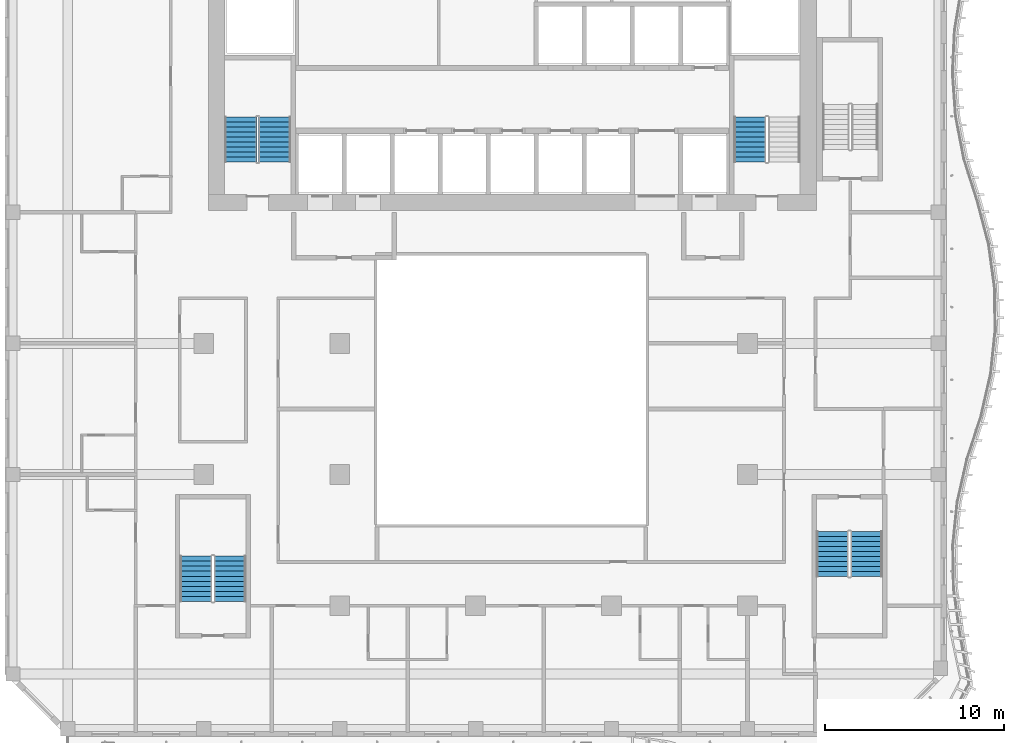
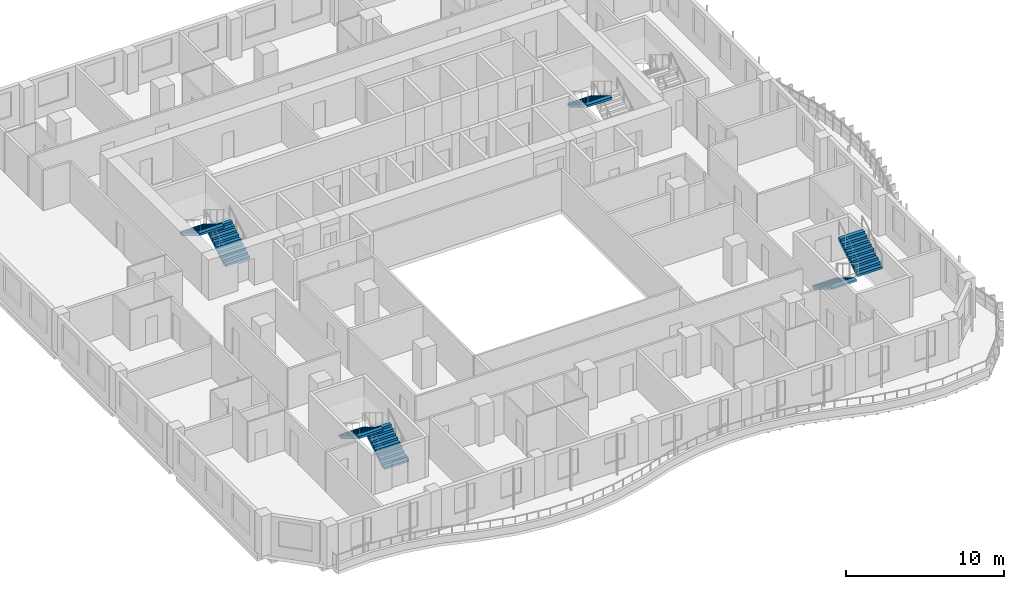
# One storey, part 11 of 20: 7 stair flights, 4 elements without a shape of their own.
"""IFC4 building model written with IfcOpenShell, lengths in metres."""

from ifc_helpers import new_model, si_unit, direction, frame, origin, place, context, subcontext, project, spatial, triangles, source, transform, mapped, material, type_object, element, aggregate, save


model = new_model("IFC4")

# Units and contexts
model_context = context("Model", 3, precision=1e-05, world=origin(), true_north=direction((0.0, 1.0)))
body_context = subcontext(model_context, "Body", "Model", "MODEL_VIEW")
ifc_project = project(units=[si_unit("LENGTHUNIT", "METRE"), si_unit("AREAUNIT", "SQUARE_METRE"), si_unit("VOLUMEUNIT", "CUBIC_METRE"), si_unit("PLANEANGLEUNIT", "RADIAN"), si_unit("MASSUNIT", "GRAM", prefix="KILO")], contexts=[model_context])

# Site, building, storey
site_placement = place(None, origin())
site = spatial("IfcSite", under=ifc_project, at=site_placement, CompositionType="ELEMENT")
building_placement = place(site_placement, origin())
building = spatial("IfcBuilding", under=site, at=building_placement, Name="Kilnfold Tower and Market Hall", CompositionType="ELEMENT")
storey_placement = place(building_placement, frame((0.0, 0.0, 157.5)))
storey = spatial("IfcBuildingStorey", under=building, at=storey_placement, Name="L36", CompositionType="ELEMENT", Elevation=157.5)

# Stair, stair flights
ifc_material_1 = material(Name="Concrete C40/50", Category="concrete")
stair_type = type_object("IfcStairType", Name="CORE STAIR 1800", PredefinedType="HALF_TURN_STAIR", material=ifc_material_1)
stair_1_placement = place(storey_placement, origin())
stair_1 = element("IfcStair", 1, at=stair_1_placement, inside=storey, type_object=stair_type, Name="L36 ST1", PredefinedType="HALF_TURN_STAIR")
ifc_material_2 = material(Name="Concrete C40/50", Category="concrete")
stair_flight_type = type_object("IfcStairFlightType", Name="CORE STAIR FLIGHT 1800", PredefinedType="STRAIGHT", material=ifc_material_2)
shared_shape = source(origin(), body_context, "Body", "Tessellation", [
    triangles([(0.0, 0.89990234375, 0.0), (0.0, 0.78759765625, 0.0), (0.0, 0.675048828125, 0.0), (0.0, 0.5625, 0.0), (0.0, 0.449951171875, 0.0), (0.0, 0.33740234375, 0.0), (0.0, 0.22509765625, 0.0), (0.0, 0.112548828125, 0.0), (0.0, 0.0, 0.0), (0.0, -0.112548828125, 0.0), (0.0, -0.22509765625, 0.0), (0.0, -0.33740234375, 0.0), (0.0, -0.449951171875, 0.0), (0.0, -0.5625, 0.0), (0.0, -0.675048828125, 0.0), (0.0, -0.78759765625, 0.0), (0.0, -0.89990234375, 0.0), (0.0, 0.89990234375, 0.169921875), (0.0, 0.78759765625, 0.169921875), (0.0, 0.675048828125, 0.169921875), (0.0, 0.5625, 0.169921875), (0.0, 0.449951171875, 0.169921875), (0.0, 0.33740234375, 0.169921875), (0.0, 0.22509765625, 0.169921875), (0.0, 0.112548828125, 0.169921875), (0.0, 0.0, 0.169921875), (0.0, -0.112548828125, 0.169921875), (0.0, -0.22509765625, 0.169921875), (0.0, -0.33740234375, 0.169921875), (0.0, -0.449951171875, 0.169921875), (0.0, -0.5625, 0.169921875), (0.0, -0.675048828125, 0.169921875), (0.0, -0.78759765625, 0.169921875), (0.0, -0.89990234375, 0.169921875), (0.280029296875, 0.89990234375, 0.169921875), (0.280029296875, 0.78759765625, 0.169921875), (0.280029296875, 0.675048828125, 0.169921875), (0.280029296875, 0.5625, 0.169921875), (0.280029296875, 0.449951171875, 0.169921875), (0.280029296875, 0.33740234375, 0.169921875), (0.280029296875, 0.22509765625, 0.169921875), (0.280029296875, 0.112548828125, 0.169921875), (0.280029296875, 0.0, 0.169921875), (0.280029296875, -0.112548828125, 0.169921875), (0.280029296875, -0.22509765625, 0.169921875), (0.280029296875, -0.33740234375, 0.169921875), (0.280029296875, -0.449951171875, 0.169921875), (0.280029296875, -0.5625, 0.169921875), (0.280029296875, -0.675048828125, 0.169921875), (0.280029296875, -0.78759765625, 0.169921875), (0.280029296875, -0.89990234375, 0.169921875), (0.280029296875, 0.89990234375, 0.340087890625), (0.280029296875, 0.78759765625, 0.340087890625), (0.280029296875, 0.675048828125, 0.340087890625), (0.280029296875, 0.5625, 0.340087890625), (0.280029296875, 0.449951171875, 0.340087890625), (0.280029296875, 0.33740234375, 0.340087890625), (0.280029296875, 0.22509765625, 0.340087890625), (0.280029296875, 0.112548828125, 0.340087890625), (0.280029296875, 0.0, 0.340087890625), (0.280029296875, -0.112548828125, 0.340087890625), (0.280029296875, -0.22509765625, 0.340087890625), (0.280029296875, -0.33740234375, 0.340087890625), (0.280029296875, -0.449951171875, 0.340087890625), (0.280029296875, -0.5625, 0.340087890625), (0.280029296875, -0.675048828125, 0.340087890625), (0.280029296875, -0.78759765625, 0.340087890625), (0.280029296875, -0.89990234375, 0.340087890625), (0.56005859375, 0.89990234375, 0.340087890625), (0.56005859375, 0.78759765625, 0.340087890625), (0.56005859375, 0.675048828125, 0.340087890625), (0.56005859375, 0.5625, 0.340087890625), (0.56005859375, 0.449951171875, 0.340087890625), (0.56005859375, 0.33740234375, 0.340087890625), (0.56005859375, 0.22509765625, 0.340087890625), (0.56005859375, 0.112548828125, 0.340087890625), (0.56005859375, 0.0, 0.340087890625), (0.56005859375, -0.112548828125, 0.340087890625), (0.56005859375, -0.22509765625, 0.340087890625), (0.56005859375, -0.33740234375, 0.340087890625), (0.56005859375, -0.449951171875, 0.340087890625), (0.56005859375, -0.5625, 0.340087890625), (0.56005859375, -0.675048828125, 0.340087890625), (0.56005859375, -0.78759765625, 0.340087890625), (0.56005859375, -0.89990234375, 0.340087890625), (0.56005859375, 0.89990234375, 0.510009765625), (0.56005859375, 0.78759765625, 0.510009765625), (0.56005859375, 0.675048828125, 0.510009765625), (0.56005859375, 0.5625, 0.510009765625), (0.56005859375, 0.449951171875, 0.510009765625), (0.56005859375, 0.33740234375, 0.510009765625), (0.56005859375, 0.22509765625, 0.510009765625), (0.56005859375, 0.112548828125, 0.510009765625), (0.56005859375, 0.0, 0.510009765625), (0.56005859375, -0.112548828125, 0.510009765625), (0.56005859375, -0.22509765625, 0.510009765625), (0.56005859375, -0.33740234375, 0.510009765625), (0.56005859375, -0.449951171875, 0.510009765625), (0.56005859375, -0.5625, 0.510009765625), (0.56005859375, -0.675048828125, 0.510009765625), (0.56005859375, -0.78759765625, 0.510009765625), (0.56005859375, -0.89990234375, 0.510009765625), (0.840087890625, 0.89990234375, 0.510009765625), (0.840087890625, 0.78759765625, 0.510009765625), (0.840087890625, 0.675048828125, 0.510009765625), (0.840087890625, 0.5625, 0.510009765625), (0.840087890625, 0.449951171875, 0.510009765625), (0.840087890625, 0.33740234375, 0.510009765625), (0.840087890625, 0.22509765625, 0.510009765625), (0.840087890625, 0.112548828125, 0.510009765625), (0.840087890625, 0.0, 0.510009765625), (0.840087890625, -0.112548828125, 0.510009765625), (0.840087890625, -0.22509765625, 0.510009765625), (0.840087890625, -0.33740234375, 0.510009765625), (0.840087890625, -0.449951171875, 0.510009765625), (0.840087890625, -0.5625, 0.510009765625), (0.840087890625, -0.675048828125, 0.510009765625), (0.840087890625, -0.78759765625, 0.510009765625), (0.840087890625, -0.89990234375, 0.510009765625), (0.840087890625, 0.89990234375, 0.679931640625), (0.840087890625, 0.78759765625, 0.679931640625), (0.840087890625, 0.675048828125, 0.679931640625), (0.840087890625, 0.5625, 0.679931640625), (0.840087890625, 0.449951171875, 0.679931640625), (0.840087890625, 0.33740234375, 0.679931640625), (0.840087890625, 0.22509765625, 0.679931640625), (0.840087890625, 0.112548828125, 0.679931640625), (0.840087890625, 0.0, 0.679931640625), (0.840087890625, -0.112548828125, 0.679931640625), (0.840087890625, -0.22509765625, 0.679931640625), (0.840087890625, -0.33740234375, 0.679931640625), (0.840087890625, -0.449951171875, 0.679931640625), (0.840087890625, -0.5625, 0.679931640625), (0.840087890625, -0.675048828125, 0.679931640625), (0.840087890625, -0.78759765625, 0.679931640625), (0.840087890625, -0.89990234375, 0.679931640625), (1.1201171875, 0.89990234375, 0.679931640625), (1.1201171875, 0.78759765625, 0.679931640625), (1.1201171875, 0.675048828125, 0.679931640625), (1.1201171875, 0.5625, 0.679931640625), (1.1201171875, 0.449951171875, 0.679931640625), (1.1201171875, 0.33740234375, 0.679931640625), (1.1201171875, 0.22509765625, 0.679931640625), (1.1201171875, 0.112548828125, 0.679931640625), (1.1201171875, 0.0, 0.679931640625), (1.1201171875, -0.112548828125, 0.679931640625), (1.1201171875, -0.22509765625, 0.679931640625), (1.1201171875, -0.33740234375, 0.679931640625), (1.1201171875, -0.449951171875, 0.679931640625), (1.1201171875, -0.5625, 0.679931640625), (1.1201171875, -0.675048828125, 0.679931640625), (1.1201171875, -0.78759765625, 0.679931640625), (1.1201171875, -0.89990234375, 0.679931640625), (1.1201171875, 0.89990234375, 0.85009765625), (1.1201171875, 0.78759765625, 0.85009765625), (1.1201171875, 0.675048828125, 0.85009765625), (1.1201171875, 0.5625, 0.85009765625), (1.1201171875, 0.449951171875, 0.85009765625), (1.1201171875, 0.33740234375, 0.85009765625), (1.1201171875, 0.22509765625, 0.85009765625), (1.1201171875, 0.112548828125, 0.85009765625), (1.1201171875, 0.0, 0.85009765625), (1.1201171875, -0.112548828125, 0.85009765625), (1.1201171875, -0.22509765625, 0.85009765625), (1.1201171875, -0.33740234375, 0.85009765625), (1.1201171875, -0.449951171875, 0.85009765625), (1.1201171875, -0.5625, 0.85009765625), (1.1201171875, -0.675048828125, 0.85009765625), (1.1201171875, -0.78759765625, 0.85009765625), (1.1201171875, -0.89990234375, 0.85009765625), (1.39990234375, 0.89990234375, 0.85009765625), (1.39990234375, 0.78759765625, 0.85009765625), (1.39990234375, 0.675048828125, 0.85009765625), (1.39990234375, 0.5625, 0.85009765625), (1.39990234375, 0.449951171875, 0.85009765625), (1.39990234375, 0.33740234375, 0.85009765625), (1.39990234375, 0.22509765625, 0.85009765625), (1.39990234375, 0.112548828125, 0.85009765625), (1.39990234375, 0.0, 0.85009765625), (1.39990234375, -0.112548828125, 0.85009765625), (1.39990234375, -0.22509765625, 0.85009765625), (1.39990234375, -0.33740234375, 0.85009765625), (1.39990234375, -0.449951171875, 0.85009765625), (1.39990234375, -0.5625, 0.85009765625), (1.39990234375, -0.675048828125, 0.85009765625), (1.39990234375, -0.78759765625, 0.85009765625), (1.39990234375, -0.89990234375, 0.85009765625), (1.39990234375, 0.89990234375, 1.02001953125), (1.39990234375, 0.78759765625, 1.02001953125), (1.39990234375, 0.675048828125, 1.02001953125), (1.39990234375, 0.5625, 1.02001953125), (1.39990234375, 0.449951171875, 1.02001953125), (1.39990234375, 0.33740234375, 1.02001953125), (1.39990234375, 0.22509765625, 1.02001953125), (1.39990234375, 0.112548828125, 1.02001953125), (1.39990234375, 0.0, 1.02001953125), (1.39990234375, -0.112548828125, 1.02001953125), (1.39990234375, -0.22509765625, 1.02001953125), (1.39990234375, -0.33740234375, 1.02001953125), (1.39990234375, -0.449951171875, 1.02001953125), (1.39990234375, -0.5625, 1.02001953125), (1.39990234375, -0.675048828125, 1.02001953125), (1.39990234375, -0.78759765625, 1.02001953125), (1.39990234375, -0.89990234375, 1.02001953125), (1.679931640625, 0.89990234375, 1.02001953125), (1.679931640625, 0.78759765625, 1.02001953125), (1.679931640625, 0.675048828125, 1.02001953125), (1.679931640625, 0.5625, 1.02001953125), (1.679931640625, 0.449951171875, 1.02001953125), (1.679931640625, 0.33740234375, 1.02001953125), (1.679931640625, 0.22509765625, 1.02001953125), (1.679931640625, 0.112548828125, 1.02001953125), (1.679931640625, 0.0, 1.02001953125), (1.679931640625, -0.112548828125, 1.02001953125), (1.679931640625, -0.22509765625, 1.02001953125), (1.679931640625, -0.33740234375, 1.02001953125), (1.679931640625, -0.449951171875, 1.02001953125), (1.679931640625, -0.5625, 1.02001953125), (1.679931640625, -0.675048828125, 1.02001953125), (1.679931640625, -0.78759765625, 1.02001953125), (1.679931640625, -0.89990234375, 1.02001953125), (1.679931640625, 0.89990234375, 1.18994140625), (1.679931640625, 0.78759765625, 1.18994140625), (1.679931640625, 0.675048828125, 1.18994140625), (1.679931640625, 0.5625, 1.18994140625), (1.679931640625, 0.449951171875, 1.18994140625), (1.679931640625, 0.33740234375, 1.18994140625), (1.679931640625, 0.22509765625, 1.18994140625), (1.679931640625, 0.112548828125, 1.18994140625), (1.679931640625, 0.0, 1.18994140625), (1.679931640625, -0.112548828125, 1.18994140625), (1.679931640625, -0.22509765625, 1.18994140625), (1.679931640625, -0.33740234375, 1.18994140625), (1.679931640625, -0.449951171875, 1.18994140625), (1.679931640625, -0.5625, 1.18994140625), (1.679931640625, -0.675048828125, 1.18994140625), (1.679931640625, -0.78759765625, 1.18994140625), (1.679931640625, -0.89990234375, 1.18994140625), (1.9599609375, 0.89990234375, 1.18994140625), (1.9599609375, 0.78759765625, 1.18994140625), (1.9599609375, 0.675048828125, 1.18994140625), (1.9599609375, 0.5625, 1.18994140625), (1.9599609375, 0.449951171875, 1.18994140625), (1.9599609375, 0.33740234375, 1.18994140625), (1.9599609375, 0.22509765625, 1.18994140625), (1.9599609375, 0.112548828125, 1.18994140625), (1.9599609375, 0.0, 1.18994140625), (1.9599609375, -0.112548828125, 1.18994140625), (1.9599609375, -0.22509765625, 1.18994140625), (1.9599609375, -0.33740234375, 1.18994140625), (1.9599609375, -0.449951171875, 1.18994140625), (1.9599609375, -0.5625, 1.18994140625), (1.9599609375, -0.675048828125, 1.18994140625), (1.9599609375, -0.78759765625, 1.18994140625), (1.9599609375, -0.89990234375, 1.18994140625), (1.9599609375, 0.89990234375, 1.360107421875), (1.9599609375, 0.78759765625, 1.360107421875), (1.9599609375, 0.675048828125, 1.360107421875), (1.9599609375, 0.5625, 1.360107421875), (1.9599609375, 0.449951171875, 1.360107421875), (1.9599609375, 0.33740234375, 1.360107421875), (1.9599609375, 0.22509765625, 1.360107421875), (1.9599609375, 0.112548828125, 1.360107421875), (1.9599609375, 0.0, 1.360107421875), (1.9599609375, -0.112548828125, 1.360107421875), (1.9599609375, -0.22509765625, 1.360107421875), (1.9599609375, -0.33740234375, 1.360107421875), (1.9599609375, -0.449951171875, 1.360107421875), (1.9599609375, -0.5625, 1.360107421875), (1.9599609375, -0.675048828125, 1.360107421875), (1.9599609375, -0.78759765625, 1.360107421875), (1.9599609375, -0.89990234375, 1.360107421875), (2.239990234375, 0.89990234375, 1.360107421875), (2.239990234375, 0.78759765625, 1.360107421875), (2.239990234375, 0.675048828125, 1.360107421875), (2.239990234375, 0.5625, 1.360107421875), (2.239990234375, 0.449951171875, 1.360107421875), (2.239990234375, 0.33740234375, 1.360107421875), (2.239990234375, 0.22509765625, 1.360107421875), (2.239990234375, 0.112548828125, 1.360107421875), (2.239990234375, 0.0, 1.360107421875), (2.239990234375, -0.112548828125, 1.360107421875), (2.239990234375, -0.22509765625, 1.360107421875), (2.239990234375, -0.33740234375, 1.360107421875), (2.239990234375, -0.449951171875, 1.360107421875), (2.239990234375, -0.5625, 1.360107421875), (2.239990234375, -0.675048828125, 1.360107421875), (2.239990234375, -0.78759765625, 1.360107421875), (2.239990234375, -0.89990234375, 1.360107421875), (2.239990234375, 0.89990234375, 1.530029296875), (2.239990234375, 0.78759765625, 1.530029296875), (2.239990234375, 0.675048828125, 1.530029296875), (2.239990234375, 0.5625, 1.530029296875), (2.239990234375, 0.449951171875, 1.530029296875), (2.239990234375, 0.33740234375, 1.530029296875), (2.239990234375, 0.22509765625, 1.530029296875), (2.239990234375, 0.112548828125, 1.530029296875), (2.239990234375, 0.0, 1.530029296875), (2.239990234375, -0.112548828125, 1.530029296875), (2.239990234375, -0.22509765625, 1.530029296875), (2.239990234375, -0.33740234375, 1.530029296875), (2.239990234375, -0.449951171875, 1.530029296875), (2.239990234375, -0.5625, 1.530029296875), (2.239990234375, -0.675048828125, 1.530029296875), (2.239990234375, -0.78759765625, 1.530029296875), (2.239990234375, -0.89990234375, 1.530029296875), (2.52001953125, 0.89990234375, 1.530029296875), (2.52001953125, 0.78759765625, 1.530029296875), (2.52001953125, 0.675048828125, 1.530029296875), (2.52001953125, 0.5625, 1.530029296875), (2.52001953125, 0.449951171875, 1.530029296875), (2.52001953125, 0.33740234375, 1.530029296875), (2.52001953125, 0.22509765625, 1.530029296875), (2.52001953125, 0.112548828125, 1.530029296875), (2.52001953125, 0.0, 1.530029296875), (2.52001953125, -0.112548828125, 1.530029296875), (2.52001953125, -0.22509765625, 1.530029296875), (2.52001953125, -0.33740234375, 1.530029296875), (2.52001953125, -0.449951171875, 1.530029296875), (2.52001953125, -0.5625, 1.530029296875), (2.52001953125, -0.675048828125, 1.530029296875), (2.52001953125, -0.78759765625, 1.530029296875), (2.52001953125, -0.89990234375, 1.530029296875), (2.52001953125, 0.89990234375, 1.354736328125), (2.52001953125, 0.78759765625, 1.354736328125), (2.52001953125, 0.675048828125, 1.354736328125), (2.52001953125, 0.5625, 1.354736328125), (2.52001953125, 0.449951171875, 1.354736328125), (2.52001953125, 0.33740234375, 1.354736328125), (2.52001953125, 0.22509765625, 1.354736328125), (2.52001953125, 0.112548828125, 1.354736328125), (2.52001953125, 0.0, 1.354736328125), (2.52001953125, -0.112548828125, 1.354736328125), (2.52001953125, -0.22509765625, 1.354736328125), (2.52001953125, -0.33740234375, 1.354736328125), (2.52001953125, -0.449951171875, 1.354736328125), (2.52001953125, -0.5625, 1.354736328125), (2.52001953125, -0.675048828125, 1.354736328125), (2.52001953125, -0.78759765625, 1.354736328125), (2.52001953125, -0.89990234375, 1.354736328125), (0.288818359375, 0.89990234375, 0.0), (0.288818359375, 0.78759765625, 0.0), (0.288818359375, 0.675048828125, 0.0), (0.288818359375, 0.5625, 0.0), (0.288818359375, 0.449951171875, 0.0), (0.288818359375, 0.33740234375, 0.0), (0.288818359375, 0.22509765625, 0.0), (0.288818359375, 0.112548828125, 0.0), (0.288818359375, 0.0, 0.0), (0.288818359375, -0.112548828125, 0.0), (0.288818359375, -0.22509765625, 0.0), (0.288818359375, -0.33740234375, 0.0), (0.288818359375, -0.449951171875, 0.0), (0.288818359375, -0.5625, 0.0), (0.288818359375, -0.675048828125, 0.0), (0.288818359375, -0.78759765625, 0.0), (0.288818359375, -0.89990234375, 0.0)], [[1, 324, 341], [17, 357, 340], [324, 290, 307], [340, 323, 306], [324, 273, 290], [340, 306, 289], [324, 256, 273], [340, 289, 272], [324, 239, 256], [340, 272, 255], [239, 205, 222], [255, 238, 221], [324, 205, 239], [340, 255, 221], [205, 171, 188], [221, 204, 187], [324, 171, 205], [340, 221, 187], [171, 137, 154], [187, 170, 153], [324, 137, 171], [340, 187, 153], [137, 103, 120], [153, 136, 119], [324, 103, 137], [340, 153, 119], [103, 69, 86], [119, 102, 85], [324, 69, 103], [340, 119, 85], [69, 35, 52], [85, 68, 51], [324, 35, 69], [340, 85, 51], [1, 35, 324], [17, 340, 51], [35, 1, 18], [51, 34, 17], [1, 19, 18], [1, 2, 19], [2, 20, 19], [2, 3, 20], [3, 21, 20], [3, 4, 21], [4, 22, 21], [4, 5, 22], [5, 23, 22], [5, 6, 23], [6, 24, 23], [6, 7, 24], [7, 25, 24], [7, 8, 25], [8, 26, 25], [8, 9, 26], [9, 27, 26], [9, 10, 27], [10, 28, 27], [10, 11, 28], [11, 29, 28], [11, 12, 29], [12, 30, 29], [12, 13, 30], [13, 31, 30], [13, 14, 31], [14, 32, 31], [14, 15, 32], [15, 33, 32], [15, 16, 33], [16, 34, 33], [16, 17, 34], [18, 36, 35], [18, 19, 36], [19, 37, 36], [19, 20, 37], [20, 38, 37], [20, 21, 38], [21, 39, 38], [21, 22, 39], [22, 40, 39], [22, 23, 40], [23, 41, 40], [23, 24, 41], [24, 42, 41], [24, 25, 42], [25, 43, 42], [25, 26, 43], [26, 44, 43], [26, 27, 44], [27, 45, 44], [27, 28, 45], [28, 46, 45], [28, 29, 46], [29, 47, 46], [29, 30, 47], [30, 48, 47], [30, 31, 48], [31, 49, 48], [31, 32, 49], [32, 50, 49], [32, 33, 50], [33, 51, 50], [33, 34, 51], [35, 53, 52], [35, 36, 53], [36, 54, 53], [36, 37, 54], [37, 55, 54], [37, 38, 55], [38, 56, 55], [38, 39, 56], [39, 57, 56], [39, 40, 57], [40, 58, 57], [40, 41, 58], [41, 59, 58], [41, 42, 59], [42, 60, 59], [42, 43, 60], [43, 61, 60], [43, 44, 61], [44, 62, 61], [44, 45, 62], [45, 63, 62], [45, 46, 63], [46, 64, 63], [46, 47, 64], [47, 65, 64], [47, 48, 65], [48, 66, 65], [48, 49, 66], [49, 67, 66], [49, 50, 67], [50, 68, 67], [50, 51, 68], [52, 70, 69], [52, 53, 70], [53, 71, 70], [53, 54, 71], [54, 72, 71], [54, 55, 72], [55, 73, 72], [55, 56, 73], [56, 74, 73], [56, 57, 74], [57, 75, 74], [57, 58, 75], [58, 76, 75], [58, 59, 76], [59, 77, 76], [59, 60, 77], [60, 78, 77], [60, 61, 78], [61, 79, 78], [61, 62, 79], [62, 80, 79], [62, 63, 80], [63, 81, 80], [63, 64, 81], [64, 82, 81], [64, 65, 82], [65, 83, 82], [65, 66, 83], [66, 84, 83], [66, 67, 84], [67, 85, 84], [67, 68, 85], [69, 87, 86], [69, 70, 87], [70, 88, 87], [70, 71, 88], [71, 89, 88], [71, 72, 89], [72, 90, 89], [72, 73, 90], [73, 91, 90], [73, 74, 91], [74, 92, 91], [74, 75, 92], [75, 93, 92], [75, 76, 93], [76, 94, 93], [76, 77, 94], [77, 95, 94], [77, 78, 95], [78, 96, 95], [78, 79, 96], [79, 97, 96], [79, 80, 97], [80, 98, 97], [80, 81, 98], [81, 99, 98], [81, 82, 99], [82, 100, 99], [82, 83, 100], [83, 101, 100], [83, 84, 101], [84, 102, 101], [84, 85, 102], [86, 104, 103], [86, 87, 104], [87, 105, 104], [87, 88, 105], [88, 106, 105], [88, 89, 106], [89, 107, 106], [89, 90, 107], [90, 108, 107], [90, 91, 108], [91, 109, 108], [91, 92, 109], [92, 110, 109], [92, 93, 110], [93, 111, 110], [93, 94, 111], [94, 112, 111], [94, 95, 112], [95, 113, 112], [95, 96, 113], [96, 114, 113], [96, 97, 114], [97, 115, 114], [97, 98, 115], [98, 116, 115], [98, 99, 116], [99, 117, 116], [99, 100, 117], [100, 118, 117], [100, 101, 118], [101, 119, 118], [101, 102, 119], [103, 121, 120], [103, 104, 121], [104, 122, 121], [104, 105, 122], [105, 123, 122], [105, 106, 123], [106, 124, 123], [106, 107, 124], [107, 125, 124], [107, 108, 125], [108, 126, 125], [108, 109, 126], [109, 127, 126], [109, 110, 127], [110, 128, 127], [110, 111, 128], [111, 129, 128], [111, 112, 129], [112, 130, 129], [112, 113, 130], [113, 131, 130], [113, 114, 131], [114, 132, 131], [114, 115, 132], [115, 133, 132], [115, 116, 133], [116, 134, 133], [116, 117, 134], [117, 135, 134], [117, 118, 135], [118, 136, 135], [118, 119, 136], [120, 138, 137], [120, 121, 138], [121, 139, 138], [121, 122, 139], [122, 140, 139], [122, 123, 140], [123, 141, 140], [123, 124, 141], [124, 142, 141], [124, 125, 142], [125, 143, 142], [125, 126, 143], [126, 144, 143], [126, 127, 144], [127, 145, 144], [127, 128, 145], [128, 146, 145], [128, 129, 146], [129, 147, 146], [129, 130, 147], [130, 148, 147], [130, 131, 148], [131, 149, 148], [131, 132, 149], [132, 150, 149], [132, 133, 150], [133, 151, 150], [133, 134, 151], [134, 152, 151], [134, 135, 152], [135, 153, 152], [135, 136, 153], [137, 155, 154], [137, 138, 155], [138, 156, 155], [138, 139, 156], [139, 157, 156], [139, 140, 157], [140, 158, 157], [140, 141, 158], [141, 159, 158], [141, 142, 159], [142, 160, 159], [142, 143, 160], [143, 161, 160], [143, 144, 161], [144, 162, 161], [144, 145, 162], [145, 163, 162], [145, 146, 163], [146, 164, 163], [146, 147, 164], [147, 165, 164], [147, 148, 165], [148, 166, 165], [148, 149, 166], [149, 167, 166], [149, 150, 167], [150, 168, 167], [150, 151, 168], [151, 169, 168], [151, 152, 169], [152, 170, 169], [152, 153, 170], [154, 172, 171], [154, 155, 172], [155, 173, 172], [155, 156, 173], [156, 174, 173], [156, 157, 174], [157, 175, 174], [157, 158, 175], [158, 176, 175], [158, 159, 176], [159, 177, 176], [159, 160, 177], [160, 178, 177], [160, 161, 178], [161, 179, 178], [161, 162, 179], [162, 180, 179], [162, 163, 180], [163, 181, 180], [163, 164, 181], [164, 182, 181], [164, 165, 182], [165, 183, 182], [165, 166, 183], [166, 184, 183], [166, 167, 184], [167, 185, 184], [167, 168, 185], [168, 186, 185], [168, 169, 186], [169, 187, 186], [169, 170, 187], [171, 189, 188], [171, 172, 189], [172, 190, 189], [172, 173, 190], [173, 191, 190], [173, 174, 191], [174, 192, 191], [174, 175, 192], [175, 193, 192], [175, 176, 193], [176, 194, 193], [176, 177, 194], [177, 195, 194], [177, 178, 195], [178, 196, 195], [178, 179, 196], [179, 197, 196], [179, 180, 197], [180, 198, 197], [180, 181, 198], [181, 199, 198], [181, 182, 199], [182, 200, 199], [182, 183, 200], [183, 201, 200], [183, 184, 201], [184, 202, 201], [184, 185, 202], [185, 203, 202], [185, 186, 203], [186, 204, 203], [186, 187, 204], [188, 206, 205], [188, 189, 206], [189, 207, 206], [189, 190, 207], [190, 208, 207], [190, 191, 208], [191, 209, 208], [191, 192, 209], [192, 210, 209], [192, 193, 210], [193, 211, 210], [193, 194, 211], [194, 212, 211], [194, 195, 212], [195, 213, 212], [195, 196, 213], [196, 214, 213], [196, 197, 214], [197, 215, 214], [197, 198, 215], [198, 216, 215], [198, 199, 216], [199, 217, 216], [199, 200, 217], [200, 218, 217], [200, 201, 218], [201, 219, 218], [201, 202, 219], [202, 220, 219], [202, 203, 220], [203, 221, 220], [203, 204, 221], [205, 223, 222], [205, 206, 223], [206, 224, 223], [206, 207, 224], [207, 225, 224], [207, 208, 225], [208, 226, 225], [208, 209, 226], [209, 227, 226], [209, 210, 227], [210, 228, 227], [210, 211, 228], [211, 229, 228], [211, 212, 229], [212, 230, 229], [212, 213, 230], [213, 231, 230], [213, 214, 231], [214, 232, 231], [214, 215, 232], [215, 233, 232], [215, 216, 233], [216, 234, 233], [216, 217, 234], [217, 235, 234], [217, 218, 235], [218, 236, 235], [218, 219, 236], [219, 237, 236], [219, 220, 237], [220, 238, 237], [220, 221, 238], [222, 240, 239], [222, 223, 240], [223, 241, 240], [223, 224, 241], [224, 242, 241], [224, 225, 242], [225, 243, 242], [225, 226, 243], [226, 244, 243], [226, 227, 244], [227, 245, 244], [227, 228, 245], [228, 246, 245], [228, 229, 246], [229, 247, 246], [229, 230, 247], [230, 248, 247], [230, 231, 248], [231, 249, 248], [231, 232, 249], [232, 250, 249], [232, 233, 250], [233, 251, 250], [233, 234, 251], [234, 252, 251], [234, 235, 252], [235, 253, 252], [235, 236, 253], [236, 254, 253], [236, 237, 254], [237, 255, 254], [237, 238, 255], [239, 257, 256], [239, 240, 257], [240, 258, 257], [240, 241, 258], [241, 259, 258], [241, 242, 259], [242, 260, 259], [242, 243, 260], [243, 261, 260], [243, 244, 261], [244, 262, 261], [244, 245, 262], [245, 263, 262], [245, 246, 263], [246, 264, 263], [246, 247, 264], [247, 265, 264], [247, 248, 265], [248, 266, 265], [248, 249, 266], [249, 267, 266], [249, 250, 267], [250, 268, 267], [250, 251, 268], [251, 269, 268], [251, 252, 269], [252, 270, 269], [252, 253, 270], [253, 271, 270], [253, 254, 271], [254, 272, 271], [254, 255, 272], [256, 274, 273], [256, 257, 274], [257, 275, 274], [257, 258, 275], [258, 276, 275], [258, 259, 276], [259, 277, 276], [259, 260, 277], [260, 278, 277], [260, 261, 278], [261, 279, 278], [261, 262, 279], [262, 280, 279], [262, 263, 280], [263, 281, 280], [263, 264, 281], [264, 282, 281], [264, 265, 282], [265, 283, 282], [265, 266, 283], [266, 284, 283], [266, 267, 284], [267, 285, 284], [267, 268, 285], [268, 286, 285], [268, 269, 286], [269, 287, 286], [269, 270, 287], [270, 288, 287], [270, 271, 288], [271, 289, 288], [271, 272, 289], [273, 291, 290], [273, 274, 291], [274, 292, 291], [274, 275, 292], [275, 293, 292], [275, 276, 293], [276, 294, 293], [276, 277, 294], [277, 295, 294], [277, 278, 295], [278, 296, 295], [278, 279, 296], [279, 297, 296], [279, 280, 297], [280, 298, 297], [280, 281, 298], [281, 299, 298], [281, 282, 299], [282, 300, 299], [282, 283, 300], [283, 301, 300], [283, 284, 301], [284, 302, 301], [284, 285, 302], [285, 303, 302], [285, 286, 303], [286, 304, 303], [286, 287, 304], [287, 305, 304], [287, 288, 305], [288, 306, 305], [288, 289, 306], [290, 308, 307], [290, 291, 308], [291, 309, 308], [291, 292, 309], [292, 310, 309], [292, 293, 310], [293, 311, 310], [293, 294, 311], [294, 312, 311], [294, 295, 312], [295, 313, 312], [295, 296, 313], [296, 314, 313], [296, 297, 314], [297, 315, 314], [297, 298, 315], [298, 316, 315], [298, 299, 316], [299, 317, 316], [299, 300, 317], [300, 318, 317], [300, 301, 318], [301, 319, 318], [301, 302, 319], [302, 320, 319], [302, 303, 320], [303, 321, 320], [303, 304, 321], [304, 322, 321], [304, 305, 322], [305, 323, 322], [305, 306, 323], [307, 325, 324], [307, 308, 325], [308, 326, 325], [308, 309, 326], [309, 327, 326], [309, 310, 327], [310, 328, 327], [310, 311, 328], [311, 329, 328], [311, 312, 329], [312, 330, 329], [312, 313, 330], [313, 331, 330], [313, 314, 331], [314, 332, 331], [314, 315, 332], [315, 333, 332], [315, 316, 333], [316, 334, 333], [316, 317, 334], [317, 335, 334], [317, 318, 335], [318, 336, 335], [318, 319, 336], [319, 337, 336], [319, 320, 337], [320, 338, 337], [320, 321, 338], [321, 339, 338], [321, 322, 339], [322, 340, 339], [322, 323, 340], [324, 342, 341], [324, 325, 342], [325, 343, 342], [325, 326, 343], [326, 344, 343], [326, 327, 344], [327, 345, 344], [327, 328, 345], [328, 346, 345], [328, 329, 346], [329, 347, 346], [329, 330, 347], [330, 348, 347], [330, 331, 348], [331, 349, 348], [331, 332, 349], [332, 350, 349], [332, 333, 350], [333, 351, 350], [333, 334, 351], [334, 352, 351], [334, 335, 352], [335, 353, 352], [335, 336, 353], [336, 354, 353], [336, 337, 354], [337, 355, 354], [337, 338, 355], [338, 356, 355], [338, 339, 356], [339, 357, 356], [339, 340, 357], [341, 2, 1], [341, 342, 2], [342, 3, 2], [342, 343, 3], [343, 4, 3], [343, 344, 4], [344, 5, 4], [344, 345, 5], [345, 6, 5], [345, 346, 6], [346, 7, 6], [346, 347, 7], [347, 8, 7], [347, 348, 8], [348, 9, 8], [348, 349, 9], [349, 10, 9], [349, 350, 10], [350, 11, 10], [350, 351, 11], [351, 12, 11], [351, 352, 12], [352, 13, 12], [352, 353, 13], [353, 14, 13], [353, 354, 14], [354, 15, 14], [354, 355, 15], [355, 16, 15], [355, 356, 16], [356, 17, 16], [356, 357, 17]], closed=True),
])
stair_flight_1_placement = place(storey_placement, frame((-12.199951171875, 10.800048828125, 0.0), z_axis=(0.0, 0.0, 1.0), x_axis=(0.0, 1.0, 0.0)))
stair_flight_1 = element("IfcStairFlight", 2, at=stair_flight_1_placement, type_object=stair_flight_type, Name="ST1 flight 1", NumberOfRisers=10, NumberOfTreads=9, PredefinedType="STRAIGHT", RiserHeight=0.17, TreadLength=0.28, context=body_context, shape_type="MappedRepresentation", body=[
    mapped(shared_shape, transform((0.0, 0.0, 0.0))),
])
stair_flight_2_placement = place(storey_placement, frame((-14.10009765625, 13.320068359375, 1.699951171875), z_axis=(0.0, 0.0, 1.0), x_axis=(0.0, -1.0, 0.0)))
stair_flight_2 = element("IfcStairFlight", 3, at=stair_flight_2_placement, type_object=stair_flight_type, Name="ST1 flight 2", NumberOfRisers=10, NumberOfTreads=9, PredefinedType="STRAIGHT", RiserHeight=0.17, TreadLength=0.28, context=body_context, shape_type="MappedRepresentation", body=[
    mapped(shared_shape, transform((0.0, 0.0, 0.0))),
])
aggregate(stair_1, [stair_flight_1, stair_flight_2])

# Stair, stair flight
stair_2_placement = place(storey_placement, origin())
stair_2 = element("IfcStair", 4, at=stair_2_placement, inside=storey, type_object=stair_type, Name="L36 ST2", PredefinedType="HALF_TURN_STAIR")
stair_flight_3_placement = place(storey_placement, frame((14.300048828125, 13.320068359375, 1.699951171875), z_axis=(0.0, 0.0, 1.0), x_axis=(0.0, -1.0, 0.0)))
stair_flight_3 = element("IfcStairFlight", 5, at=stair_flight_3_placement, type_object=stair_flight_type, Name="ST2 flight 2", NumberOfRisers=10, NumberOfTreads=9, PredefinedType="STRAIGHT", RiserHeight=0.17, TreadLength=0.28, context=body_context, shape_type="MappedRepresentation", body=[
    mapped(shared_shape, transform((0.0, 0.0, 0.0))),
])
aggregate(stair_2, [stair_flight_3])

# Stair, stair flights
stair_3_placement = place(storey_placement, origin())
stair_3 = element("IfcStair", 6, at=stair_3_placement, inside=storey, type_object=stair_type, Name="L36 ST3", PredefinedType="HALF_TURN_STAIR")
stair_flight_4_placement = place(storey_placement, frame((-14.699951171875, -13.699951171875, 0.0), z_axis=(0.0, 0.0, 1.0), x_axis=(0.0, 1.0, 0.0)))
stair_flight_4 = element("IfcStairFlight", 7, at=stair_flight_4_placement, type_object=stair_flight_type, Name="ST3 flight 1", NumberOfRisers=10, NumberOfTreads=9, PredefinedType="STRAIGHT", RiserHeight=0.17, TreadLength=0.28, context=body_context, shape_type="MappedRepresentation", body=[
    mapped(shared_shape, transform((0.0, 0.0, 0.0))),
])
stair_flight_5_placement = place(storey_placement, frame((-16.60009765625, -11.179931640625, 1.699951171875), z_axis=(0.0, 0.0, 1.0), x_axis=(0.0, -1.0, 0.0)))
stair_flight_5 = element("IfcStairFlight", 8, at=stair_flight_5_placement, type_object=stair_flight_type, Name="ST3 flight 2", NumberOfRisers=10, NumberOfTreads=9, PredefinedType="STRAIGHT", RiserHeight=0.17, TreadLength=0.28, context=body_context, shape_type="MappedRepresentation", body=[
    mapped(shared_shape, transform((0.0, 0.0, 0.0))),
])
aggregate(stair_3, [stair_flight_4, stair_flight_5])

stair_4_placement = place(storey_placement, origin())
stair_4 = element("IfcStair", 9, at=stair_4_placement, inside=storey, type_object=stair_type, Name="L36 ST4", PredefinedType="HALF_TURN_STAIR")
stair_flight_6_placement = place(storey_placement, frame((18.89990234375, -9.800048828125, 0.0), z_axis=(0.0, 0.0, 1.0), x_axis=(0.0, -1.0, 0.0)))
stair_flight_6 = element("IfcStairFlight", 10, at=stair_flight_6_placement, type_object=stair_flight_type, Name="ST4 flight 1", NumberOfRisers=10, NumberOfTreads=9, PredefinedType="STRAIGHT", RiserHeight=0.17, TreadLength=0.28, context=body_context, shape_type="MappedRepresentation", body=[
    mapped(shared_shape, transform((0.0, 0.0, 0.0))),
])
stair_flight_7_placement = place(storey_placement, frame((20.800048828125, -12.320068359375, 1.699951171875), z_axis=(0.0, 0.0, 1.0), x_axis=(0.0, 1.0, 0.0)))
stair_flight_7 = element("IfcStairFlight", 11, at=stair_flight_7_placement, type_object=stair_flight_type, Name="ST4 flight 2", NumberOfRisers=10, NumberOfTreads=9, PredefinedType="STRAIGHT", RiserHeight=0.17, TreadLength=0.28, context=body_context, shape_type="MappedRepresentation", body=[
    mapped(shared_shape, transform((0.0, 0.0, 0.0))),
])
aggregate(stair_4, [stair_flight_6, stair_flight_7])

save(model, "model.ifc")
